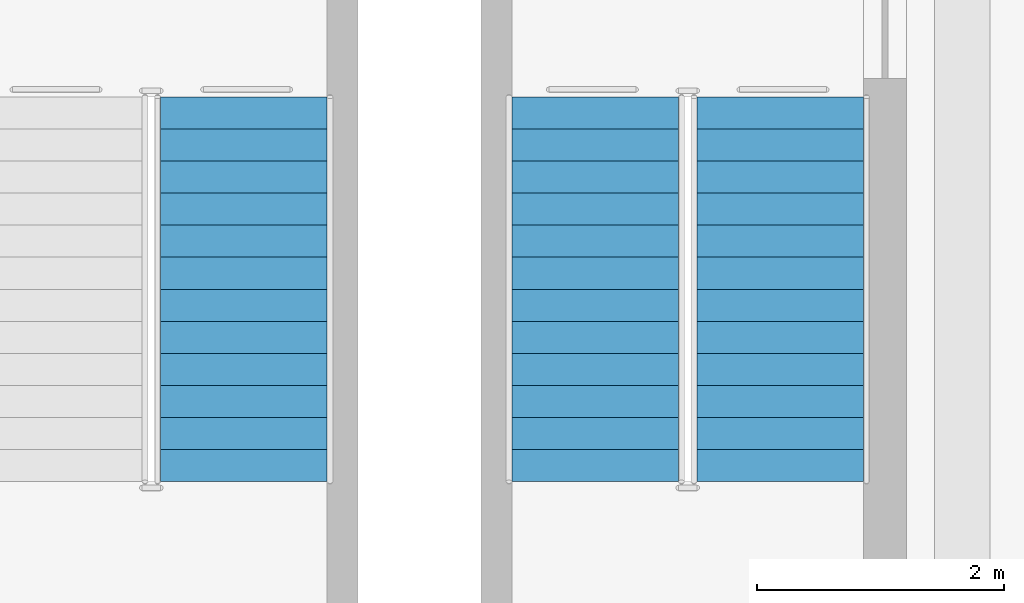
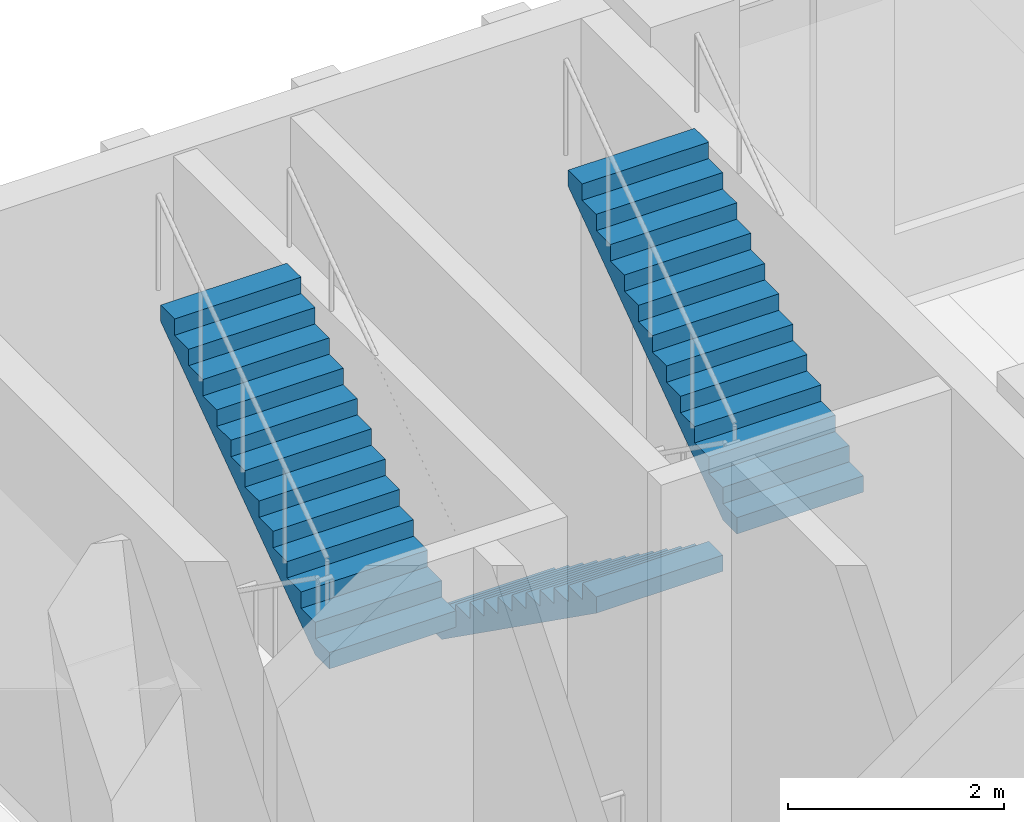
# One storey, part 71 of 92: 3 stair flights, 2 elements without a shape of their own.
"""IFC4 building model written with IfcOpenShell, lengths in metres."""

from ifc_helpers import new_model, si_unit, direction, frame, origin, place, context, subcontext, project, spatial, polyline, outline, extrude, material, type_object, element, aggregate, save


model = new_model("IFC4")

# Units and contexts
model_context = context("Model", 3, precision=1e-05, world=origin(), true_north=direction((0.0, 1.0)))
body_context = subcontext(model_context, "Body", "Model", "MODEL_VIEW")
ifc_project = project(units=[si_unit("LENGTHUNIT", "METRE"), si_unit("AREAUNIT", "SQUARE_METRE"), si_unit("VOLUMEUNIT", "CUBIC_METRE"), si_unit("PLANEANGLEUNIT", "RADIAN"), si_unit("MASSUNIT", "GRAM", prefix="KILO")], contexts=[model_context])

# Site, building, storey
site_placement = place(None, origin())
site = spatial("IfcSite", under=ifc_project, at=site_placement, CompositionType="ELEMENT")
building_placement = place(site_placement, origin())
building = spatial("IfcBuilding", under=site, at=building_placement, Name="Lantern Court Media Centre", CompositionType="ELEMENT")
storey_placement = place(building_placement, frame((0.0, 0.0, 4.800048828125)))
storey = spatial("IfcBuildingStorey", under=building, at=storey_placement, Name="L01", CompositionType="ELEMENT", Elevation=4.800048828125)

# Stair, stair flights
ifc_material = material(Name="Concrete C40", Category="concrete")
stair_type = type_object("IfcStairType", Name="Exit stair 1350", PredefinedType="HALF_TURN_STAIR", material=ifc_material)
stair_1_placement = place(storey_placement, origin())
stair_1 = element("IfcStair", 1, at=stair_1_placement, inside=storey, type_object=stair_type, Name="L01 NE exit stair A", PredefinedType="HALF_TURN_STAIR")
stair_flight_type = type_object("IfcStairFlightType", Name="Stair flight RC 1350", PredefinedType="STRAIGHT", material=ifc_material)
stair_flight_1_placement = place(storey_placement, frame((85.47509765625, 109.550048828125, 0.0), z_axis=(0.0, 0.0, 1.0), x_axis=(0.0, -1.0, 0.0)))
stair_flight_1 = element("IfcStairFlight", 2, at=stair_flight_1_placement, type_object=stair_flight_type, Name="ST-NEA flight 1", NumberOfRisers=13, NumberOfTreads=12, PredefinedType="STRAIGHT", RiserHeight=0.184615385, TreadLength=0.26, context=body_context, shape_type="SweptSolid", body=[
    extrude(outline(polyline([(0.0, 0.0), (0.0, 0.1845703125), (0.260009765625, 0.1845703125), (0.260009765625, 0.369140625), (0.52001953125, 0.369140625), (0.52001953125, 0.553955078125), (0.780029296875, 0.553955078125), (0.780029296875, 0.738525390625), (1.0400390625, 0.738525390625), (1.0400390625, 0.923095703125), (1.300048828125, 0.923095703125), (1.300048828125, 1.107666015625), (1.56005859375, 1.107666015625), (1.56005859375, 1.292236328125), (1.820068359375, 1.292236328125), (1.820068359375, 1.476806640625), (2.080078125, 1.476806640625), (2.080078125, 1.66162109375), (2.340087890625, 1.66162109375), (2.340087890625, 1.84619140625), (2.60009765625, 1.84619140625), (2.60009765625, 2.03076171875), (2.860107421875, 2.03076171875), (2.860107421875, 2.21533203125), (3.1201171875, 2.21533203125), (3.1201171875, 2.39990234375), (3.1201171875, 2.031494140625), (0.259033203125, 0.0), (0.0, 0.0)])), frame((0.0, 0.675048828125, 0.0), z_axis=(0.0, -1.0, 0.0), x_axis=(1.0, 0.0, 0.0)), (0.0, 0.0, 1.0), 1.35009765625),
])
stair_flight_2_placement = place(storey_placement, frame((86.97509765625, 106.429931640625, 2.39990234375), z_axis=(0.0, 0.0, 1.0), x_axis=(0.0, 1.0, 0.0)))
stair_flight_2 = element("IfcStairFlight", 3, at=stair_flight_2_placement, type_object=stair_flight_type, Name="ST-NEA flight 2", NumberOfRisers=13, NumberOfTreads=12, PredefinedType="STRAIGHT", RiserHeight=0.184615385, TreadLength=0.26, context=body_context, shape_type="SweptSolid", body=[
    extrude(outline(polyline([(0.0, 0.0), (0.0, 0.1845703125), (0.260009765625, 0.1845703125), (0.260009765625, 0.369140625), (0.52001953125, 0.369140625), (0.52001953125, 0.553955078125), (0.780029296875, 0.553955078125), (0.780029296875, 0.738525390625), (1.0400390625, 0.738525390625), (1.0400390625, 0.923095703125), (1.300048828125, 0.923095703125), (1.300048828125, 1.107666015625), (1.56005859375, 1.107666015625), (1.56005859375, 1.292236328125), (1.820068359375, 1.292236328125), (1.820068359375, 1.476806640625), (2.080078125, 1.476806640625), (2.080078125, 1.66162109375), (2.340087890625, 1.66162109375), (2.340087890625, 1.84619140625), (2.60009765625, 1.84619140625), (2.60009765625, 2.03076171875), (2.860107421875, 2.03076171875), (2.860107421875, 2.21533203125), (3.1201171875, 2.21533203125), (3.1201171875, 2.39990234375), (3.1201171875, 2.031494140625), (0.259033203125, 0.0), (0.0, 0.0)])), frame((0.0, 0.675048828125, 0.0), z_axis=(0.0, -1.0, 0.0), x_axis=(1.0, 0.0, 0.0)), (0.0, 0.0, 1.0), 1.35009765625),
])
aggregate(stair_1, [stair_flight_1, stair_flight_2])

# Stair, stair flight
stair_2_placement = place(storey_placement, origin())
stair_2 = element("IfcStair", 4, at=stair_2_placement, inside=storey, type_object=stair_type, Name="L01 NE exit stair B", PredefinedType="HALF_TURN_STAIR")
stair_flight_3_placement = place(storey_placement, frame((82.625, 106.429931640625, 2.39990234375), z_axis=(0.0, 0.0, 1.0), x_axis=(0.0, 1.0, 0.0)))
stair_flight_3 = element("IfcStairFlight", 5, at=stair_flight_3_placement, type_object=stair_flight_type, Name="ST-NEB flight 2", NumberOfRisers=13, NumberOfTreads=12, PredefinedType="STRAIGHT", RiserHeight=0.184615385, TreadLength=0.26, context=body_context, shape_type="SweptSolid", body=[
    extrude(outline(polyline([(0.0, 0.0), (0.0, 0.1845703125), (0.260009765625, 0.1845703125), (0.260009765625, 0.369140625), (0.52001953125, 0.369140625), (0.52001953125, 0.553955078125), (0.780029296875, 0.553955078125), (0.780029296875, 0.738525390625), (1.0400390625, 0.738525390625), (1.0400390625, 0.923095703125), (1.300048828125, 0.923095703125), (1.300048828125, 1.107666015625), (1.56005859375, 1.107666015625), (1.56005859375, 1.292236328125), (1.820068359375, 1.292236328125), (1.820068359375, 1.476806640625), (2.080078125, 1.476806640625), (2.080078125, 1.66162109375), (2.340087890625, 1.66162109375), (2.340087890625, 1.84619140625), (2.60009765625, 1.84619140625), (2.60009765625, 2.03076171875), (2.860107421875, 2.03076171875), (2.860107421875, 2.21533203125), (3.1201171875, 2.21533203125), (3.1201171875, 2.39990234375), (3.1201171875, 2.031494140625), (0.259033203125, 0.0), (0.0, 0.0)])), frame((0.0, 0.675048828125, 0.0), z_axis=(0.0, -1.0, 0.0), x_axis=(1.0, 0.0, 0.0)), (0.0, 0.0, 1.0), 1.35009765625),
])
aggregate(stair_2, [stair_flight_3])

save(model, "model.ifc")
